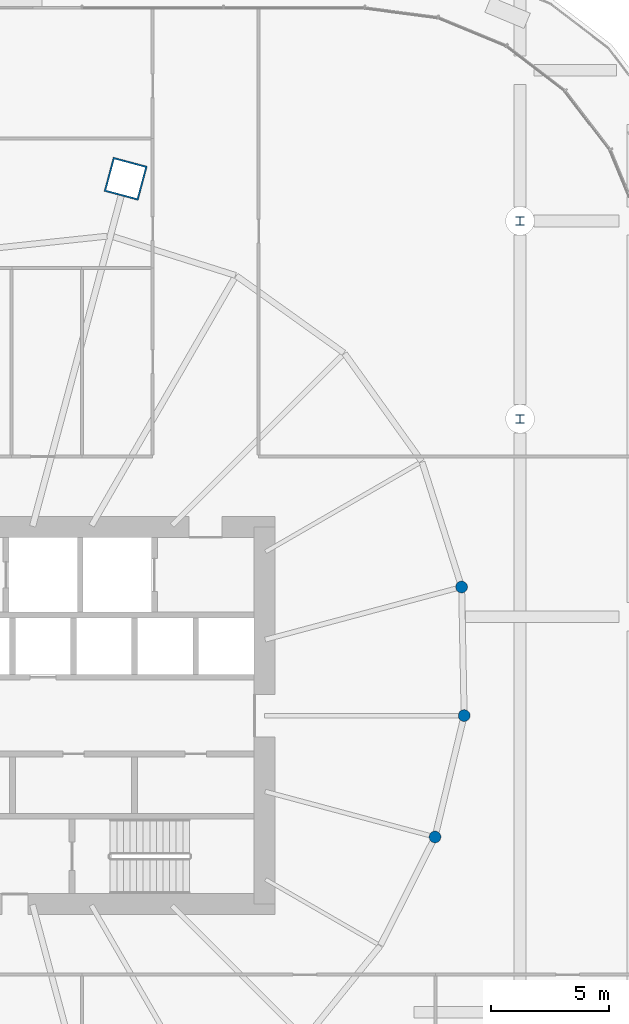
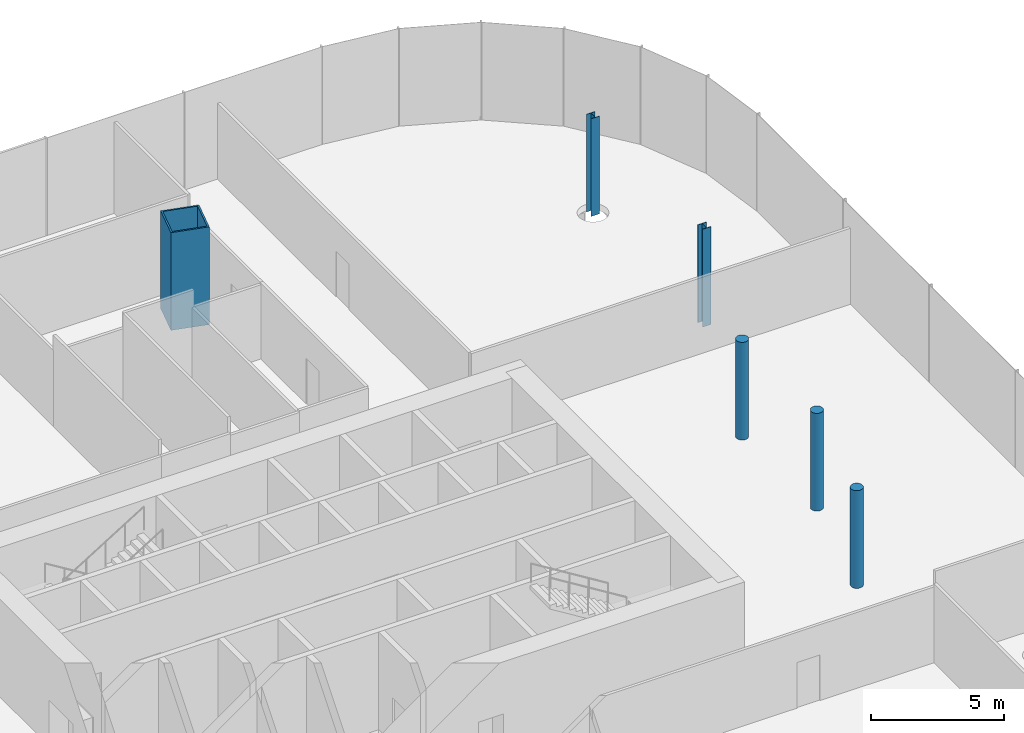
# One storey, part 8 of 56: 6 columns.
"""IFC4 building model written with IfcOpenShell, lengths in metres."""

from ifc_helpers import new_model, si_unit, direction, frame, origin, origin_2d, place, context, subcontext, project, spatial, hollow_rectangle, circle, i_section, extrude, material, material_profile, profile_set, type_object, element, save


model = new_model("IFC4")

# Units and contexts
model_context = context("Model", 3, precision=1e-05, world=origin(), true_north=direction((0.0, 1.0)))
body_context = subcontext(model_context, "Body", "Model", "MODEL_VIEW")
ifc_project = project(units=[si_unit("LENGTHUNIT", "METRE"), si_unit("AREAUNIT", "SQUARE_METRE"), si_unit("VOLUMEUNIT", "CUBIC_METRE"), si_unit("PLANEANGLEUNIT", "RADIAN"), si_unit("MASSUNIT", "GRAM", prefix="KILO")], contexts=[model_context])

# Site, building, storey
site_placement = place(None, origin())
site = spatial("IfcSite", under=ifc_project, at=site_placement, CompositionType="ELEMENT")
building_placement = place(site_placement, origin())
building = spatial("IfcBuilding", under=site, at=building_placement, Name="Rimbun Link Towers", CompositionType="ELEMENT")
storey_placement = place(building_placement, frame((0.0, 0.0, 16.5)))
storey = spatial("IfcBuildingStorey", under=building, at=storey_placement, Name="L03", CompositionType="ELEMENT", Elevation=16.5)

# Columns
ifc_material_1 = material(Name="Steel S460N", Category="steel")
ifc_material_profile_1 = material_profile(ifc_material_1, hollow_rectangle(XDim=1.5, YDim=1.5, WallThickness=0.070068359375, at=origin_2d()), Name="BOX 1500x1500x70")
ifc_profile_set_1 = profile_set([ifc_material_profile_1], Name="Steel S460N")
column_type_1 = type_object("IfcColumnType", Name="BOX 1500x1500x70", PredefinedType="COLUMN", material=ifc_profile_set_1)
column_placement = place(storey_placement, frame((37.856689453125, 22.790283203125, 0.0), z_axis=(0.0, 0.0, 1.0), x_axis=(0.258819045103, 0.965925826289, 0.0)))
element("IfcColumn", 1, at=column_placement, inside=storey, type_object=column_type_1, Name="Mega column T2 L03 02", PredefinedType="COLUMN", context=body_context, shape_type="SweptSolid", body=[
    extrude(hollow_rectangle(XDim=1.5, YDim=1.5, WallThickness=0.070068359375, at=origin_2d()), origin(), (0.0, 0.0, 1.0), 4.5),
])
ifc_material_2 = material(Name="Concrete C80/95", Category="concrete")
ifc_material_profile_2 = material_profile(ifc_material_2, circle(Radius=0.25, at=origin_2d()), Name="RC D500")
ifc_profile_set_2 = profile_set([ifc_material_profile_2], Name="Concrete C80/95")
column_type_2 = type_object("IfcColumnType", Name="RC D500", PredefinedType="COLUMN", material=ifc_profile_set_2)
for number, where, z_axis, x_axis, name in (
    (2, (50.98828125, -5.15478515625, 0.0), (0.0, 0.0, 1.0), (1.0, 0.0, 0.0), "Recess post T2 L03 20"),
    (3, (52.226318359375, 0.0, 0.0), (0.0, 0.0, 1.0), (1.0, 0.0, 0.0), "Recess post T2 L03 21"),
    (4, (52.118408203125, 5.457763671875, 0.0), (0.0, 0.0, 1.0), (1.0, 0.0, 0.0), "Recess post T2 L03 22"),
):
    element("IfcColumn", number, at=place(storey_placement, frame(where, z_axis=z_axis, x_axis=x_axis)), inside=storey, type_object=column_type_2, Name=name, PredefinedType="COLUMN", context=body_context, shape_type="SweptSolid", body=[
        extrude(circle(Radius=0.25, at=origin_2d()), origin(), (0.0, 0.0, 1.0), 4.5),
    ])
ifc_material_3 = material(Name="Steel S355J2", Category="steel")
ifc_material_profile_3 = material_profile(ifc_material_3, i_section(OverallWidth=0.37060546875, OverallDepth=0.362060546875, WebThickness=0.01220703125, FlangeThickness=0.020751953125, at=origin_2d()), Name="UC 356x368x153")
ifc_profile_set_3 = profile_set([ifc_material_profile_3], Name="Steel S355J2")
column_type_3 = type_object("IfcColumnType", Name="UC 356x368x153", PredefinedType="COLUMN", material=ifc_profile_set_3)
for number, where, z_axis, x_axis, name in (
    (5, (54.60009765625, 12.60009765625, 0.0), (0.0, 0.0, 1.0), (1.0, 0.0, 0.0), "Column L03 +54.6 +12.6"),
    (6, (54.60009765625, 21.0, 0.0), (0.0, 0.0, 1.0), (1.0, 0.0, 0.0), "Column L03 +54.6 +21.0"),
):
    element("IfcColumn", number, at=place(storey_placement, frame(where, z_axis=z_axis, x_axis=x_axis)), inside=storey, type_object=column_type_3, Name=name, PredefinedType="COLUMN", context=body_context, shape_type="SweptSolid", body=[
        extrude(i_section(OverallWidth=0.37060546875, OverallDepth=0.362060546875, WebThickness=0.01220703125, FlangeThickness=0.020751953125, at=origin_2d()), origin(), (0.0, 0.0, 1.0), 4.5),
    ])

save(model, "model.ifc")
